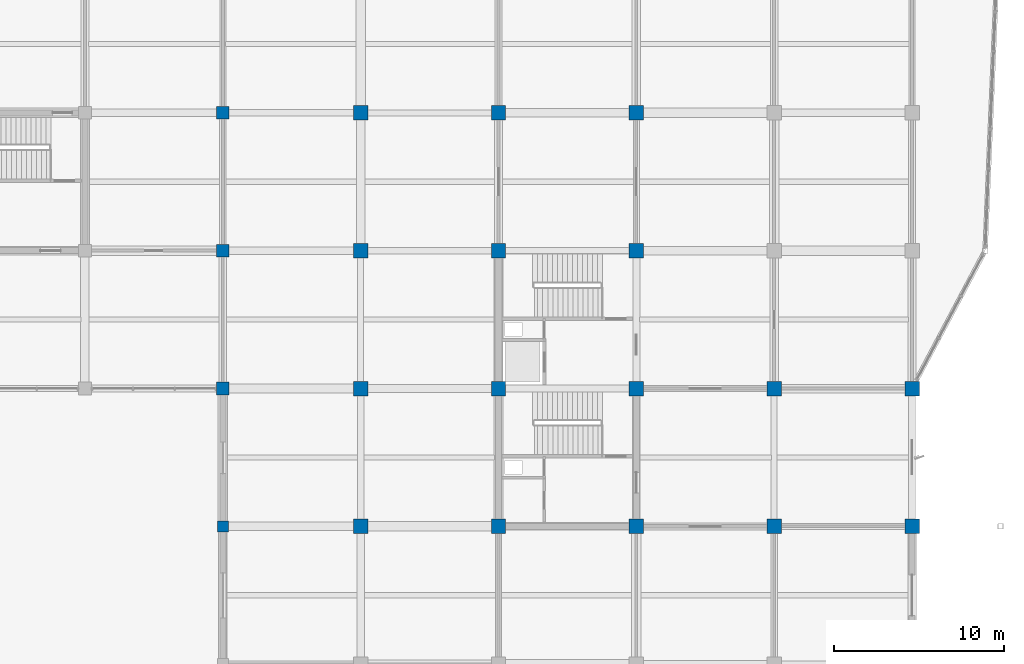
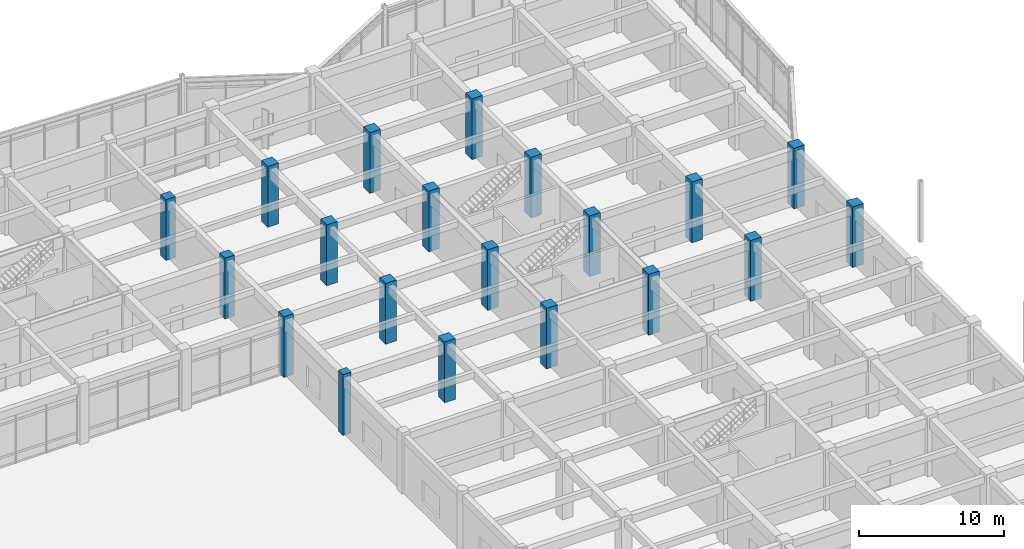
# One storey, part 16 of 99: 20 columns.
"""IFC4 building model written with IfcOpenShell, lengths in metres."""

from ifc_helpers import new_model, si_unit, direction, frame, origin, origin_2d, place, context, subcontext, project, spatial, rectangle, extrude, material, material_profile, profile_set, type_object, element, save


model = new_model("IFC4")

# Units and contexts
model_context = context("Model", 3, precision=1e-05, world=origin(), true_north=direction((0.0, 1.0)))
body_context = subcontext(model_context, "Body", "Model", "MODEL_VIEW")
ifc_project = project(units=[si_unit("LENGTHUNIT", "METRE"), si_unit("AREAUNIT", "SQUARE_METRE"), si_unit("VOLUMEUNIT", "CUBIC_METRE"), si_unit("PLANEANGLEUNIT", "RADIAN"), si_unit("MASSUNIT", "GRAM", prefix="KILO")], contexts=[model_context])

# Site, building, storey
site_placement = place(None, origin())
site = spatial("IfcSite", under=ifc_project, at=site_placement, CompositionType="ELEMENT")
building_placement = place(site_placement, origin())
building = spatial("IfcBuilding", under=site, at=building_placement, Name="Vaudrelin Polytechnic", CompositionType="ELEMENT")
storey_placement = place(building_placement, origin())
storey = spatial("IfcBuildingStorey", under=building, at=storey_placement, Name="L00", CompositionType="ELEMENT", Elevation=0.0)

# Columns
ifc_material_1 = material(Name="Concrete 40 MPa", Category="concrete")
ifc_material_profile_1 = material_profile(ifc_material_1, rectangle(XDim=0.64990234375, YDim=0.64990234375, at=origin_2d()), Name="RC650x650")
ifc_profile_set_1 = profile_set([ifc_material_profile_1], Name="Concrete 40 MPa")
column_type_1 = type_object("IfcColumnType", Name="COL-C-RC650", PredefinedType="COLUMN", material=ifc_profile_set_1)
column_placement = place(storey_placement, frame((129.60009765625, 89.10009765625, 0.0), z_axis=(0.0, 0.0, 1.0), x_axis=(1.0, 0.0, 0.0)))
element("IfcColumn", 1, at=column_placement, inside=storey, type_object=column_type_1, Name="Column L00 17-12", PredefinedType="COLUMN", context=body_context, shape_type="SweptSolid", body=[
    extrude(rectangle(XDim=0.64990234375, YDim=0.64990234375, at=origin_2d()), origin(), (0.0, 0.0, 1.0), 5.10009765625),
])
ifc_material_2 = material(Name="Concrete 50 MPa", Category="concrete")
ifc_material_profile_2 = material_profile(ifc_material_2, rectangle(XDim=0.75, YDim=0.75, at=origin_2d()), Name="RC750x750")
ifc_profile_set_2 = profile_set([ifc_material_profile_2], Name="Concrete 50 MPa")
column_type_2 = type_object("IfcColumnType", Name="COL-C-RC750", PredefinedType="COLUMN", material=ifc_profile_set_2)
for number, where, z_axis, x_axis, name in (
    (2, (129.60009765625, 97.199951171875, 0.0), (0.0, 0.0, 1.0), (1.0, 0.0, 0.0), "Column L00 17-13"),
    (3, (129.60009765625, 105.300048828125, 0.0), (0.0, 0.0, 1.0), (1.0, 0.0, 0.0), "Column L00 17-14"),
    (4, (129.60009765625, 113.39990234375, 0.0), (0.0, 0.0, 1.0), (1.0, 0.0, 0.0), "Column L00 17-15"),
):
    element("IfcColumn", number, at=place(storey_placement, frame(where, z_axis=z_axis, x_axis=x_axis)), inside=storey, type_object=column_type_2, Name=name, PredefinedType="COLUMN", context=body_context, shape_type="SweptSolid", body=[
        extrude(rectangle(XDim=0.75, YDim=0.75, at=origin_2d()), origin(), (0.0, 0.0, 1.0), 5.10009765625),
    ])
ifc_material_profile_3 = material_profile(ifc_material_2, rectangle(XDim=0.85009765625, YDim=0.85009765625, at=origin_2d()), Name="RC850x850")
ifc_profile_set_3 = profile_set([ifc_material_profile_3], Name="Concrete 50 MPa")
column_type_3 = type_object("IfcColumnType", Name="COL-C-RC850", PredefinedType="COLUMN", material=ifc_profile_set_3)
for number, where, z_axis, x_axis, name in (
    (5, (137.699951171875, 89.10009765625, 0.0), (0.0, 0.0, 1.0), (1.0, 0.0, 0.0), "Column L00 18-12"),
    (6, (137.699951171875, 97.199951171875, 0.0), (0.0, 0.0, 1.0), (1.0, 0.0, 0.0), "Column L00 18-13"),
    (7, (137.699951171875, 105.300048828125, 0.0), (0.0, 0.0, 1.0), (1.0, 0.0, 0.0), "Column L00 18-14"),
    (8, (137.699951171875, 113.39990234375, 0.0), (0.0, 0.0, 1.0), (1.0, 0.0, 0.0), "Column L00 18-15"),
    (9, (145.800048828125, 89.10009765625, 0.0), (0.0, 0.0, 1.0), (1.0, 0.0, 0.0), "Column L00 19-12"),
    (10, (145.800048828125, 97.199951171875, 0.0), (0.0, 0.0, 1.0), (1.0, 0.0, 0.0), "Column L00 19-13"),
    (11, (145.800048828125, 105.300048828125, 0.0), (0.0, 0.0, 1.0), (1.0, 0.0, 0.0), "Column L00 19-14"),
    (12, (145.800048828125, 113.39990234375, 0.0), (0.0, 0.0, 1.0), (1.0, 0.0, 0.0), "Column L00 19-15"),
    (13, (153.89990234375, 89.10009765625, 0.0), (0.0, 0.0, 1.0), (1.0, 0.0, 0.0), "Column L00 20-12"),
    (14, (153.89990234375, 97.199951171875, 0.0), (0.0, 0.0, 1.0), (1.0, 0.0, 0.0), "Column L00 20-13"),
    (15, (153.89990234375, 105.300048828125, 0.0), (0.0, 0.0, 1.0), (1.0, 0.0, 0.0), "Column L00 20-14"),
    (16, (153.89990234375, 113.39990234375, 0.0), (0.0, 0.0, 1.0), (1.0, 0.0, 0.0), "Column L00 20-15"),
    (17, (162.0, 89.10009765625, 0.0), (0.0, 0.0, 1.0), (1.0, 0.0, 0.0), "Column L00 21-12"),
    (18, (162.0, 97.199951171875, 0.0), (0.0, 0.0, 1.0), (1.0, 0.0, 0.0), "Column L00 21-13"),
    (19, (170.10009765625, 89.10009765625, 0.0), (0.0, 0.0, 1.0), (1.0, 0.0, 0.0), "Column L00 22-12"),
    (20, (170.10009765625, 97.199951171875, 0.0), (0.0, 0.0, 1.0), (1.0, 0.0, 0.0), "Column L00 22-13"),
):
    element("IfcColumn", number, at=place(storey_placement, frame(where, z_axis=z_axis, x_axis=x_axis)), inside=storey, type_object=column_type_3, Name=name, PredefinedType="COLUMN", context=body_context, shape_type="SweptSolid", body=[
        extrude(rectangle(XDim=0.85009765625, YDim=0.85009765625, at=origin_2d()), origin(), (0.0, 0.0, 1.0), 5.10009765625),
    ])

save(model, "model.ifc")
